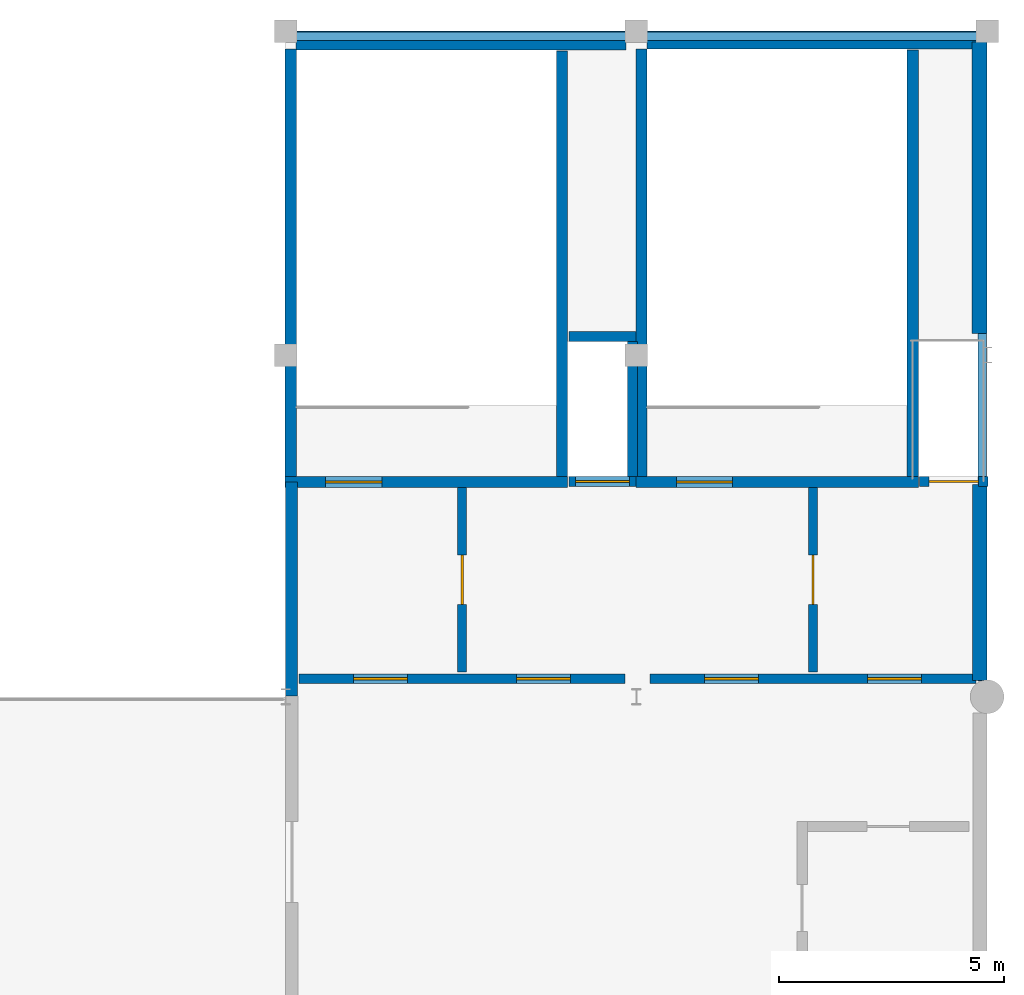
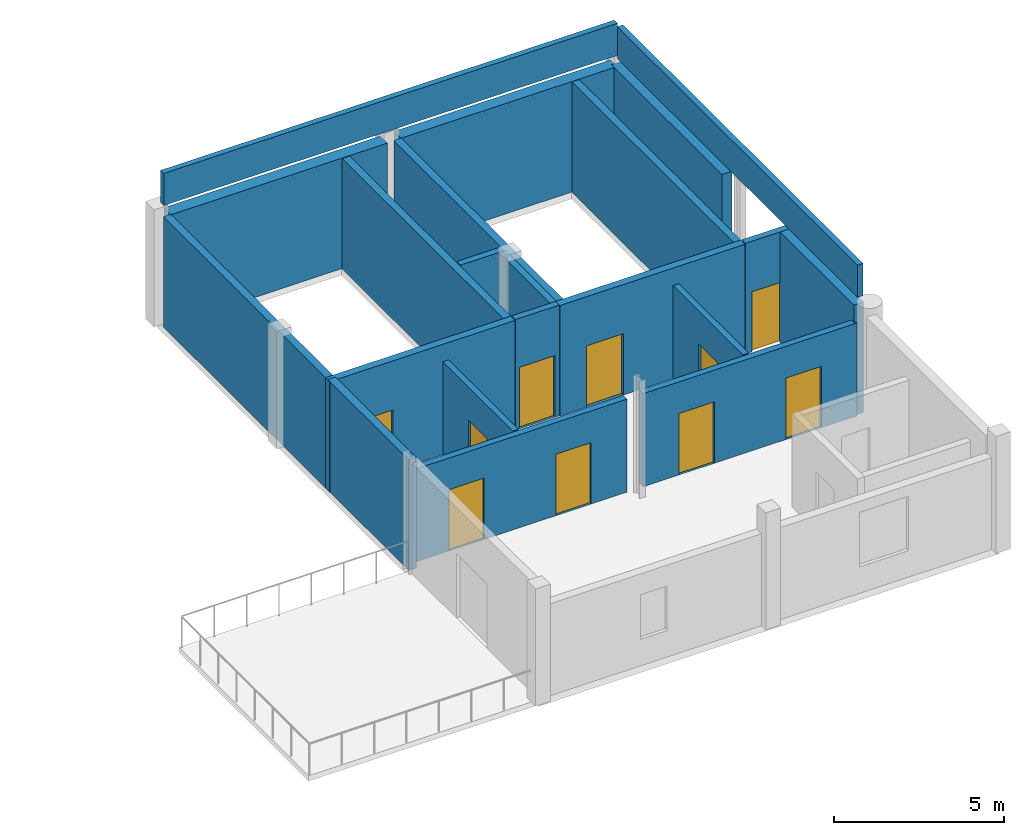
# One storey, part 16 of 17: 21 walls, 10 doors, 10 openings.
"""IFC4 building model written with IfcOpenShell, lengths in metres."""

from ifc_helpers import new_model, si_unit, direction, frame, frame_2d, origin, place, context, subcontext, project, spatial, rectangle, extrude, material, layer, layer_set, type_object, element, fill, save


model = new_model("IFC4")

# Units and contexts
model_context = context("Model", 3, precision=1e-05, world=origin(), true_north=direction((0.0, 1.0)))
body_context = subcontext(model_context, "Body", "Model", "MODEL_VIEW")
ifc_project = project(units=[si_unit("LENGTHUNIT", "METRE"), si_unit("AREAUNIT", "SQUARE_METRE"), si_unit("VOLUMEUNIT", "CUBIC_METRE"), si_unit("PLANEANGLEUNIT", "RADIAN"), si_unit("MASSUNIT", "GRAM", prefix="KILO")], contexts=[model_context])

# Site, building, storey
site_placement = place(None, origin())
site = spatial("IfcSite", under=ifc_project, at=site_placement, CompositionType="ELEMENT")
building_placement = place(site_placement, origin())
building = spatial("IfcBuilding", under=site, at=building_placement, Name="Xicomal Pleat Aquarium", CompositionType="ELEMENT")
storey_placement = place(building_placement, frame((0.0, 0.0, 19.800048828125)))
storey = spatial("IfcBuildingStorey", under=building, at=storey_placement, Name="L05", CompositionType="ELEMENT", Elevation=19.800048828125)

# Wall, opening, door
ifc_material_1 = material(Name="Concrete C40/50", Category="concrete")
ifc_layer_1 = layer(ifc_material_1, 0.219970703125)
ifc_layer_set_1 = layer_set([ifc_layer_1], Name="Concrete C40/50")
wall_type_1 = type_object("IfcWallType", Name="WAL-COR-220", PredefinedType="SHEAR", material=ifc_layer_set_1)
wall_1_placement = place(storey_placement, frame((147.89990234375, 88.389892578125, 0.0), z_axis=(0.0, 0.0, 1.0), x_axis=(1.0, 0.0, 0.0)))
wall_1 = element("IfcWall", 1, at=wall_1_placement, inside=storey, type_object=wall_type_1, Name="L05 LF-05 lift shaft wall CW-L05-C5-LS", PredefinedType="SHEAR", context=body_context, shape_type="SweptSolid", body=[
    extrude(rectangle(XDim=1.489990234375, YDim=0.219970703125, at=frame_2d((0.7451171875, 0.0))), origin(), (0.0, 0.0, 1.0), 3.9599609375),
])
opening_1_placement = place(wall_1_placement, frame((0.14501953125, 0.0, 0.0)))
opening_1 = element("IfcOpeningElement", 2, at=opening_1_placement, cuts=wall_1, Name="Opening LD-05-L05", PredefinedType="OPENING", context=body_context, shape_type="SweptSolid", body=[
    extrude(rectangle(XDim=1.199951171875, YDim=2.199951171875, at=frame_2d((0.60009765625, 1.10009765625))), frame((0.0, 0.119873046875, 0.0), z_axis=(0.0, -1.0, 0.0), x_axis=(1.0, 0.0, 0.0)), (0.0, 0.0, 1.0), 0.239990234375),
])
ifc_material_2 = material(Name="Brushed stainless steel 304", Category="steel")
door_type_1 = type_object("IfcDoorType", Name="DOR-LD-1200x2200", OperationType="DOUBLE_DOOR_SLIDING", PredefinedType="DOOR", material=ifc_material_2)
door_1_placement = place(opening_1_placement, origin())
door_1 = element("IfcDoor", 3, at=door_1_placement, inside=storey, type_object=door_type_1, Name="L05 LF-05 sliding lift landing door", OperationType="DOUBLE_DOOR_SLIDING", OverallHeight=2.199951171875, OverallWidth=1.199951171875, PredefinedType="DOOR", context=body_context, shape_type="SweptSolid", body=[
    extrude(rectangle(XDim=1.199951171875, YDim=2.199951171875, at=frame_2d((0.60009765625, 1.10009765625))), frame((0.0, 0.02490234375, 0.0), z_axis=(0.0, -1.0, 0.0), x_axis=(1.0, 0.0, 0.0)), (0.0, 0.0, 1.0), 0.050048828125),
])
fill(opening_1, door_1)

# Walls
wall_2_placement = place(storey_placement, frame((147.89990234375, 91.610107421875, 0.0), z_axis=(0.0, 0.0, 1.0), x_axis=(1.0, 0.0, 0.0)))
element("IfcWall", 4, at=wall_2_placement, inside=storey, type_object=wall_type_1, Name="L05 LF-05 lift shaft wall CW-L05-C5-LN", PredefinedType="SHEAR", context=body_context, shape_type="SweptSolid", body=[
    extrude(rectangle(XDim=1.489990234375, YDim=0.219970703125, at=frame_2d((0.7451171875, 0.0))), origin(), (0.0, 0.0, 1.0), 3.9599609375),
])
wall_3_placement = place(storey_placement, frame((149.31005859375, 88.5, 0.0), z_axis=(0.0, 0.0, 1.0), x_axis=(0.0, 1.0, 0.0)))
element("IfcWall", 5, at=wall_3_placement, inside=storey, type_object=wall_type_1, Name="L05 LF-05 lift shaft wall CW-L05-C5-LE", PredefinedType="SHEAR", context=body_context, shape_type="SweptSolid", body=[
    extrude(rectangle(XDim=3.0, YDim=0.219970703125, at=frame_2d((1.5, 0.0))), origin(), (0.0, 0.0, 1.0), 3.9599609375),
])

# Wall, opening, door
wall_4_placement = place(storey_placement, frame((155.699951171875, 88.389892578125, 0.0), z_axis=(0.0, 0.0, 1.0), x_axis=(1.0, 0.0, 0.0)))
wall_4 = element("IfcWall", 6, at=wall_4_placement, inside=storey, type_object=wall_type_1, Name="L05 LF-06 lift shaft wall CW-L05-C6-LS", PredefinedType="SHEAR", context=body_context, shape_type="SweptSolid", body=[
    extrude(rectangle(XDim=1.52001953125, YDim=0.219970703125, at=frame_2d((0.760009765625, 0.0))), origin(), (0.0, 0.0, 1.0), 3.9599609375),
])
opening_2_placement = place(wall_4_placement, frame((0.2099609375, 0.0, 0.0)))
opening_2 = element("IfcOpeningElement", 7, at=opening_2_placement, cuts=wall_4, Name="Opening LD-06-L05", PredefinedType="OPENING", context=body_context, shape_type="SweptSolid", body=[
    extrude(rectangle(XDim=1.10009765625, YDim=2.14990234375, at=frame_2d((0.550048828125, 1.074951171875))), frame((0.0, 0.119873046875, 0.0), z_axis=(0.0, -1.0, 0.0), x_axis=(1.0, 0.0, 0.0)), (0.0, 0.0, 1.0), 0.239990234375),
])
ifc_material_3 = material(Name="Brushed stainless steel 304", Category="steel")
door_type_2 = type_object("IfcDoorType", Name="DOR-LD-1100x2150", OperationType="DOUBLE_DOOR_SLIDING", PredefinedType="DOOR", material=ifc_material_3)
door_2_placement = place(opening_2_placement, origin())
door_2 = element("IfcDoor", 8, at=door_2_placement, inside=storey, type_object=door_type_2, Name="L05 LF-06 sliding lift landing door", OperationType="DOUBLE_DOOR_SLIDING", OverallHeight=2.14990234375, OverallWidth=1.10009765625, PredefinedType="DOOR", context=body_context, shape_type="SweptSolid", body=[
    extrude(rectangle(XDim=1.10009765625, YDim=2.14990234375, at=frame_2d((0.550048828125, 1.074951171875))), frame((0.0, 0.02490234375, 0.0), z_axis=(0.0, -1.0, 0.0), x_axis=(1.0, 0.0, 0.0)), (0.0, 0.0, 1.0), 0.050048828125),
])
fill(opening_2, door_2)

ifc_material_4 = material(Name="Concrete C40/50", Category="concrete")
ifc_layer_2 = layer(ifc_material_4, 0.25)
ifc_layer_set_2 = layer_set([ifc_layer_2], Name="Concrete C40/50")
wall_type_2 = type_object("IfcWallType", Name="WAL-COR-250", PredefinedType="SHEAR", material=ifc_layer_set_2)
wall_5_placement = place(storey_placement, frame((141.590087890625, 88.375, 0.0), z_axis=(0.0, 0.0, 1.0), x_axis=(1.0, 0.0, 0.0)))
wall_5 = element("IfcWall", 9, at=wall_5_placement, inside=storey, type_object=wall_type_2, Name="L05 CORE-5 stair shear wall CW-L05-C5-SS", PredefinedType="SHEAR", context=body_context, shape_type="SweptSolid", body=[
    extrude(rectangle(XDim=6.280029296875, YDim=0.25, at=frame_2d((3.14013671875, 0.0))), origin(), (0.0, 0.0, 1.0), 3.9599609375),
])
opening_3_placement = place(wall_5_placement, frame((0.89990234375, 0.0, 0.0)))
opening_3 = element("IfcOpeningElement", 10, at=opening_3_placement, cuts=wall_5, Name="Opening SD-05-L05", PredefinedType="OPENING", context=body_context, shape_type="SweptSolid", body=[
    extrude(rectangle(XDim=1.25, YDim=2.199951171875, at=frame_2d((0.625, 1.10009765625))), frame((0.0, 0.135009765625, 0.0), z_axis=(0.0, -1.0, 0.0), x_axis=(1.0, 0.0, 0.0)), (0.0, 0.0, 1.0), 0.27001953125),
])
ifc_material_5 = material(Name="Powder-coated steel fire door", Category="steel")
door_type_3 = type_object("IfcDoorType", Name="DOR-ST-1250x2200", OperationType="NOTDEFINED", PredefinedType="DOOR", material=ifc_material_5)
door_3_placement = place(opening_3_placement, origin())
door_3 = element("IfcDoor", 11, at=door_3_placement, inside=storey, type_object=door_type_3, Name="L05 ST-05 protected stair door", OperationType="SINGLE_SWING_LEFT", OverallHeight=2.199951171875, OverallWidth=1.25, PredefinedType="DOOR", context=body_context, shape_type="SweptSolid", body=[
    extrude(rectangle(XDim=1.25, YDim=2.199951171875, at=frame_2d((0.625, 1.10009765625))), frame((0.0, 0.02490234375, 0.0), z_axis=(0.0, -1.0, 0.0), x_axis=(1.0, 0.0, 0.0)), (0.0, 0.0, 1.0), 0.050048828125),
])
fill(opening_3, door_3)

# Walls
wall_6_placement = place(storey_placement, frame((141.715087890625, 88.5, 0.0), z_axis=(0.0, 0.0, 1.0), x_axis=(0.0, 1.0, 0.0)))
element("IfcWall", 12, at=wall_6_placement, inside=storey, type_object=wall_type_2, Name="L05 CORE-5 stair shear wall CW-L05-C5-SW", PredefinedType="SHEAR", context=body_context, shape_type="SweptSolid", body=[
    extrude(rectangle(XDim=9.5, YDim=0.25, at=frame_2d((4.75, 0.0))), origin(), (0.0, 0.0, 1.0), 3.9599609375),
])
wall_7_placement = place(storey_placement, frame((147.7451171875, 88.5, 0.0), z_axis=(0.0, 0.0, 1.0), x_axis=(0.0, 1.0, 0.0)))
element("IfcWall", 13, at=wall_7_placement, inside=storey, type_object=wall_type_2, Name="L05 CORE-5 stair shear wall CW-L05-C5-SE", PredefinedType="SHEAR", context=body_context, shape_type="SweptSolid", body=[
    extrude(rectangle(XDim=9.4599609375, YDim=0.25, at=frame_2d((4.72998046875, 0.0))), origin(), (0.0, 0.0, 1.0), 3.9599609375),
])

# Wall, opening, door
wall_8_placement = place(storey_placement, frame((149.389892578125, 88.375, 0.0), z_axis=(0.0, 0.0, 1.0), x_axis=(1.0, 0.0, 0.0)))
wall_8 = element("IfcWall", 14, at=wall_8_placement, inside=storey, type_object=wall_type_2, Name="L05 CORE-6 stair shear wall CW-L05-C6-SS", PredefinedType="SHEAR", context=body_context, shape_type="SweptSolid", body=[
    extrude(rectangle(XDim=6.280029296875, YDim=0.25, at=frame_2d((3.14013671875, 0.0))), origin(), (0.0, 0.0, 1.0), 3.9599609375),
])
opening_4_placement = place(wall_8_placement, frame((0.89990234375, 0.0, 0.0)))
opening_4 = element("IfcOpeningElement", 15, at=opening_4_placement, cuts=wall_8, Name="Opening SD-06-L05", PredefinedType="OPENING", context=body_context, shape_type="SweptSolid", body=[
    extrude(rectangle(XDim=1.25, YDim=2.199951171875, at=frame_2d((0.625, 1.10009765625))), frame((0.0, 0.135009765625, 0.0), z_axis=(0.0, -1.0, 0.0), x_axis=(1.0, 0.0, 0.0)), (0.0, 0.0, 1.0), 0.27001953125),
])
door_4_placement = place(opening_4_placement, origin())
door_4 = element("IfcDoor", 16, at=door_4_placement, inside=storey, type_object=door_type_3, Name="L05 ST-06 protected stair door", OperationType="SINGLE_SWING_LEFT", OverallHeight=2.199951171875, OverallWidth=1.25, PredefinedType="DOOR", context=body_context, shape_type="SweptSolid", body=[
    extrude(rectangle(XDim=1.25, YDim=2.199951171875, at=frame_2d((0.625, 1.10009765625))), frame((0.0, 0.02490234375, 0.0), z_axis=(0.0, -1.0, 0.0), x_axis=(1.0, 0.0, 0.0)), (0.0, 0.0, 1.0), 0.050048828125),
])
fill(opening_4, door_4)

# Walls
wall_9_placement = place(storey_placement, frame((149.514892578125, 88.5, 0.0), z_axis=(0.0, 0.0, 1.0), x_axis=(0.0, 1.0, 0.0)))
element("IfcWall", 17, at=wall_9_placement, inside=storey, type_object=wall_type_2, Name="L05 CORE-6 stair shear wall CW-L05-C6-SW", PredefinedType="SHEAR", context=body_context, shape_type="SweptSolid", body=[
    extrude(rectangle(XDim=9.5, YDim=0.25, at=frame_2d((4.75, 0.0))), origin(), (0.0, 0.0, 1.0), 3.9599609375),
])
wall_10_placement = place(storey_placement, frame((155.544921875, 88.5, 0.0), z_axis=(0.0, 0.0, 1.0), x_axis=(0.0, 1.0, 0.0)))
element("IfcWall", 18, at=wall_10_placement, inside=storey, type_object=wall_type_2, Name="L05 CORE-6 stair shear wall CW-L05-C6-SE", PredefinedType="SHEAR", context=body_context, shape_type="SweptSolid", body=[
    extrude(rectangle(XDim=9.47998046875, YDim=0.25, at=frame_2d((4.739990234375, 0.0))), origin(), (0.0, 0.0, 1.0), 3.9599609375),
])
ifc_material_6 = material(Name="Volcanic basalt recinto masonry and concrete C40/50", Category="masonry")
ifc_layer_3 = layer(ifc_material_6, 0.39990234375)
ifc_layer_set_3 = layer_set([ifc_layer_3], Name="Volcanic basalt recinto masonry and concrete C40/50")
wall_type_3 = type_object("IfcWallType", Name="WAL-EXT-BAS-400", PredefinedType="SOLIDWALL", material=ifc_layer_set_3)
wall_11_placement = place(storey_placement, frame((149.635009765625, 98.199951171875, 0.0), z_axis=(0.0, 0.0, 1.0), x_axis=(1.0, 0.0, 0.0)))
element("IfcWall", 19, at=wall_11_placement, inside=storey, type_object=wall_type_3, Name="L05 exterior basalt-precast wall EW-L05-010", PredefinedType="SOLIDWALL", context=body_context, shape_type="SweptSolid", body=[
    extrude(rectangle(XDim=7.330078125, YDim=0.39990234375, at=frame_2d((3.6650390625, 0.0))), origin(), (0.0, 0.0, 1.0), 3.9599609375),
])
ifc_material_7 = material(Name="Volcanic basalt recinto masonry and concrete C40/50", Category="masonry")
ifc_layer_4 = layer(ifc_material_7, 0.419921875)
ifc_layer_set_4 = layer_set([ifc_layer_4], Name="Volcanic basalt recinto masonry and concrete C40/50")
wall_type_4 = type_object("IfcWallType", Name="WAL-EXT-BAS-420", PredefinedType="SOLIDWALL", material=ifc_layer_set_4)
wall_12_placement = place(storey_placement, frame((141.8349609375, 98.18994140625, 0.0), z_axis=(0.0, 0.0, 1.0), x_axis=(1.0, 0.0, 0.0)))
element("IfcWall", 20, at=wall_12_placement, inside=storey, type_object=wall_type_4, Name="L05 exterior basalt-precast wall EW-L05-009", PredefinedType="SOLIDWALL", context=body_context, shape_type="SweptSolid", body=[
    extrude(rectangle(XDim=7.330078125, YDim=0.419921875, at=frame_2d((3.6650390625, 0.0))), origin(), (0.0, 0.0, 1.0), 3.9599609375),
])
ifc_material_8 = material(Name="Precast concrete C40/50", Category="concrete")
ifc_layer_5 = layer(ifc_material_8, 0.260009765625)
ifc_layer_set_5 = layer_set([ifc_layer_5], Name="Precast concrete C40/50")
wall_type_5 = type_object("IfcWallType", Name="WAL-EXT-PRC-260", PredefinedType="SOLIDWALL", material=ifc_layer_set_5)
wall_13_placement = place(storey_placement, frame((141.72998046875, 83.6201171875, 0.0), z_axis=(0.0, 0.0, 1.0), x_axis=(0.0, 1.0, 0.0)))
element("IfcWall", 21, at=wall_13_placement, inside=storey, type_object=wall_type_5, Name="L05 exterior basalt-precast wall EW-L05-007", PredefinedType="SOLIDWALL", context=body_context, shape_type="SweptSolid", body=[
    extrude(rectangle(XDim=4.759765625, YDim=0.260009765625, at=frame_2d((2.3798828125, 0.0))), origin(), (0.0, 0.0, 1.0), 3.9599609375),
])
ifc_material_9 = material(Name="Precast concrete C40/50", Category="concrete")
ifc_layer_6 = layer(ifc_material_9, 0.324951171875)
ifc_layer_set_6 = layer_set([ifc_layer_6], Name="Precast concrete C40/50")
wall_type_6 = type_object("IfcWallType", Name="WAL-EXT-PRC-325", PredefinedType="SOLIDWALL", material=ifc_layer_set_6)
wall_14_placement = place(storey_placement, frame((157.037109375, 88.320068359375, 0.0), z_axis=(0.0, 0.0, 1.0), x_axis=(0.0, -1.0, 0.0)))
element("IfcWall", 22, at=wall_14_placement, inside=storey, type_object=wall_type_6, Name="L05 exterior basalt-precast wall EW-L05-002", PredefinedType="SOLIDWALL", context=body_context, shape_type="SweptSolid", body=[
    extrude(rectangle(XDim=4.360107421875, YDim=0.324951171875, at=frame_2d((2.18017578125, 0.0))), origin(), (0.0, 0.0, 1.0), 3.9599609375),
])
ifc_material_10 = material(Name="Precast concrete C40/50", Category="concrete")
ifc_layer_7 = layer(ifc_material_10, 0.340087890625)
ifc_layer_set_7 = layer_set([ifc_layer_7], Name="Precast concrete C40/50")
wall_type_7 = type_object("IfcWallType", Name="WAL-EXT-PRC-340", PredefinedType="SOLIDWALL", material=ifc_layer_set_7)
wall_15_placement = place(storey_placement, frame((157.030029296875, 98.1650390625, 0.0), z_axis=(0.0, 0.0, 1.0), x_axis=(0.0, -1.0, 0.0)))
element("IfcWall", 23, at=wall_15_placement, inside=storey, type_object=wall_type_7, Name="L05 exterior basalt-precast wall EW-L05-001", PredefinedType="SOLIDWALL", context=body_context, shape_type="SweptSolid", body=[
    extrude(rectangle(XDim=6.485107421875, YDim=0.340087890625, at=frame_2d((3.24267578125, 0.0))), origin(), (0.0, 0.0, 1.0), 3.9599609375),
])
ifc_material_11 = material(Name="Precast concrete C40/50", Category="concrete")
ifc_layer_8 = layer(ifc_material_11, 0.18994140625)
ifc_layer_set_8 = layer_set([ifc_layer_8], Name="Precast concrete C40/50")
wall_type_8 = type_object("IfcWallType", Name="WAL-PAR-190", PredefinedType="PARAPET", material=ifc_layer_set_8)
wall_16_placement = place(storey_placement, frame((141.7099609375, 98.2900390625, 4.199951171875), z_axis=(0.0, 0.0, 1.0), x_axis=(1.0, 0.0, 0.0)))
element("IfcWall", 24, at=wall_16_placement, inside=storey, type_object=wall_type_8, Name="L05 roof perimeter parapet PW-RF-E-N", PredefinedType="PARAPET", context=body_context, shape_type="SweptSolid", body=[
    extrude(rectangle(XDim=15.380126953125, YDim=0.18994140625, at=frame_2d((7.68994140625, 0.0))), origin(), (0.0, 0.0, 1.0), 1.14990234375),
])
wall_17_placement = place(storey_placement, frame((157.090087890625, 83.949951171875, 4.199951171875), z_axis=(0.0, 0.0, 1.0), x_axis=(0.0, 1.0, 0.0)))
element("IfcWall", 25, at=wall_17_placement, inside=storey, type_object=wall_type_8, Name="L05 roof perimeter parapet PW-RF-E-E", PredefinedType="PARAPET", context=body_context, shape_type="SweptSolid", body=[
    extrude(rectangle(XDim=14.10009765625, YDim=0.18994140625, at=frame_2d((7.050048828125, 0.0))), origin(), (0.0, 0.0, 1.0), 1.14990234375),
])

# Wall, opening, door
ifc_material_12 = material(Name="Acoustic double-stud drywall partition", Category="gypsum")
ifc_layer_9 = layer(ifc_material_12, 0.195068359375)
ifc_layer_set_9 = layer_set([ifc_layer_9], Name="Acoustic double-stud drywall partition")
wall_type_9 = type_object("IfcWallType", Name="WAL-PRT-195", PredefinedType="PARTITIONING", material=ifc_layer_set_9)
wall_18_placement = place(storey_placement, frame((145.52490234375, 84.14990234375, 0.0), z_axis=(0.0, 0.0, 1.0), x_axis=(0.0, 1.0, 0.0)))
wall_18 = element("IfcWall", 26, at=wall_18_placement, inside=storey, type_object=wall_type_9, Name="L05 firefighting lobby smoke divider 5", PredefinedType="PARTITIONING", context=body_context, shape_type="SweptSolid", body=[
    extrude(rectangle(XDim=4.10009765625, YDim=0.195068359375, at=frame_2d((2.050048828125, 0.0))), origin(), (0.0, 0.0, 1.0), 3.3349609375),
])
opening_5_placement = place(wall_18_placement, frame((1.5, 0.0, 0.0)))
opening_5 = element("IfcOpeningElement", 27, at=opening_5_placement, cuts=wall_18, Name="Opening FD-05C-L05", PredefinedType="OPENING", context=body_context, shape_type="SweptSolid", body=[
    extrude(rectangle(XDim=1.10009765625, YDim=2.14990234375, at=frame_2d((0.550048828125, 1.074951171875))), frame((0.0, 0.107421875, 0.0), z_axis=(0.0, -1.0, 0.0), x_axis=(1.0, 0.0, 0.0)), (0.0, 0.0, 1.0), 0.215087890625),
])
ifc_material_13 = material(Name="Powder-coated steel fire door", Category="steel")
door_type_4 = type_object("IfcDoorType", Name="DOR-LAB-1100x2150", OperationType="NOTDEFINED", PredefinedType="DOOR", material=ifc_material_13)
door_5_placement = place(opening_5_placement, origin())
door_5 = element("IfcDoor", 28, at=door_5_placement, inside=storey, type_object=door_type_4, Name="L05 lobby interconnecting fire door 5C", OperationType="SINGLE_SWING_RIGHT", OverallHeight=2.14990234375, OverallWidth=1.10009765625, PredefinedType="DOOR", context=body_context, shape_type="SweptSolid", body=[
    extrude(rectangle(XDim=1.10009765625, YDim=2.14990234375, at=frame_2d((0.550048828125, 1.074951171875))), frame((0.0, 0.02490234375, 0.0), z_axis=(0.0, -1.0, 0.0), x_axis=(1.0, 0.0, 0.0)), (0.0, 0.0, 1.0), 0.050048828125),
])
fill(opening_5, door_5)

wall_19_placement = place(storey_placement, frame((153.324951171875, 84.14990234375, 0.0), z_axis=(0.0, 0.0, 1.0), x_axis=(0.0, 1.0, 0.0)))
wall_19 = element("IfcWall", 29, at=wall_19_placement, inside=storey, type_object=wall_type_9, Name="L05 firefighting lobby smoke divider 6", PredefinedType="PARTITIONING", context=body_context, shape_type="SweptSolid", body=[
    extrude(rectangle(XDim=4.10009765625, YDim=0.195068359375, at=frame_2d((2.050048828125, 0.0))), origin(), (0.0, 0.0, 1.0), 3.3349609375),
])
opening_6_placement = place(wall_19_placement, frame((1.5, 0.0, 0.0)))
opening_6 = element("IfcOpeningElement", 30, at=opening_6_placement, cuts=wall_19, Name="Opening FD-06C-L05", PredefinedType="OPENING", context=body_context, shape_type="SweptSolid", body=[
    extrude(rectangle(XDim=1.10009765625, YDim=2.14990234375, at=frame_2d((0.550048828125, 1.074951171875))), frame((0.0, 0.107421875, 0.0), z_axis=(0.0, -1.0, 0.0), x_axis=(1.0, 0.0, 0.0)), (0.0, 0.0, 1.0), 0.215087890625),
])
door_6_placement = place(opening_6_placement, origin())
door_6 = element("IfcDoor", 31, at=door_6_placement, inside=storey, type_object=door_type_4, Name="L05 lobby interconnecting fire door 6C", OperationType="SINGLE_SWING_RIGHT", OverallHeight=2.14990234375, OverallWidth=1.10009765625, PredefinedType="DOOR", context=body_context, shape_type="SweptSolid", body=[
    extrude(rectangle(XDim=1.10009765625, YDim=2.14990234375, at=frame_2d((0.550048828125, 1.074951171875))), frame((0.0, 0.02490234375, 0.0), z_axis=(0.0, -1.0, 0.0), x_axis=(1.0, 0.0, 0.0)), (0.0, 0.0, 1.0), 0.050048828125),
])
fill(opening_6, door_6)

# Wall, openings, doors
ifc_material_14 = material(Name="Fire-rated gypsum and mineral-wool partition", Category="gypsum")
ifc_layer_10 = layer(ifc_material_14, 0.2099609375)
ifc_layer_set_10 = layer_set([ifc_layer_10], Name="Fire-rated gypsum and mineral-wool partition")
wall_type_10 = type_object("IfcWallType", Name="WAL-PRT-210", PredefinedType="PARTITIONING", material=ifc_layer_set_10)
wall_20_placement = place(storey_placement, frame((141.89990234375, 84.0, 0.0), z_axis=(0.0, 0.0, 1.0), x_axis=(1.0, 0.0, 0.0)))
wall_20 = element("IfcWall", 32, at=wall_20_placement, inside=storey, type_object=wall_type_10, Name="L05 CORE-5 lobby fire enclosure wall", PredefinedType="PARTITIONING", context=body_context, shape_type="SweptSolid", body=[
    extrude(rectangle(XDim=7.25, YDim=0.2099609375, at=frame_2d((3.625, 0.0))), origin(), (0.0, 0.0, 1.0), 3.3349609375),
])
opening_7_placement = place(wall_20_placement, frame((1.2119140625, 0.0, 0.0)))
opening_7 = element("IfcOpeningElement", 33, at=opening_7_placement, cuts=wall_20, Name="Opening FD-05A-L05", PredefinedType="OPENING", context=body_context, shape_type="SweptSolid", body=[
    extrude(rectangle(XDim=1.199951171875, YDim=2.199951171875, at=frame_2d((0.60009765625, 1.10009765625))), frame((0.0, 0.114990234375, 0.0), z_axis=(0.0, -1.0, 0.0), x_axis=(1.0, 0.0, 0.0)), (0.0, 0.0, 1.0), 0.22998046875),
])
opening_8_placement = place(wall_20_placement, frame((4.837890625, 0.0, 0.0)))
opening_8 = element("IfcOpeningElement", 34, at=opening_8_placement, cuts=wall_20, Name="Opening FD-05B-L05", PredefinedType="OPENING", context=body_context, shape_type="SweptSolid", body=[
    extrude(rectangle(XDim=1.199951171875, YDim=2.199951171875, at=frame_2d((0.60009765625, 1.10009765625))), frame((0.0, 0.114990234375, 0.0), z_axis=(0.0, -1.0, 0.0), x_axis=(1.0, 0.0, 0.0)), (0.0, 0.0, 1.0), 0.22998046875),
])
ifc_material_15 = material(Name="Powder-coated steel fire door", Category="steel")
door_type_5 = type_object("IfcDoorType", Name="DOR-FFL-1200x2200", OperationType="NOTDEFINED", PredefinedType="DOOR", material=ifc_material_15)
door_7_placement = place(opening_7_placement, origin())
door_7 = element("IfcDoor", 35, at=door_7_placement, inside=storey, type_object=door_type_5, Name="L05 firefighting lobby door 5A", OperationType="SINGLE_SWING_RIGHT", OverallHeight=2.199951171875, OverallWidth=1.199951171875, PredefinedType="DOOR", context=body_context, shape_type="SweptSolid", body=[
    extrude(rectangle(XDim=1.199951171875, YDim=2.199951171875, at=frame_2d((0.60009765625, 1.10009765625))), frame((0.0, 0.02490234375, 0.0), z_axis=(0.0, -1.0, 0.0), x_axis=(1.0, 0.0, 0.0)), (0.0, 0.0, 1.0), 0.050048828125),
])
fill(opening_7, door_7)
door_8_placement = place(opening_8_placement, origin())
door_8 = element("IfcDoor", 36, at=door_8_placement, inside=storey, type_object=door_type_5, Name="L05 lift lobby door 5B", OperationType="SINGLE_SWING_LEFT", OverallHeight=2.199951171875, OverallWidth=1.199951171875, PredefinedType="DOOR", context=body_context, shape_type="SweptSolid", body=[
    extrude(rectangle(XDim=1.199951171875, YDim=2.199951171875, at=frame_2d((0.60009765625, 1.10009765625))), frame((0.0, 0.02490234375, 0.0), z_axis=(0.0, -1.0, 0.0), x_axis=(1.0, 0.0, 0.0)), (0.0, 0.0, 1.0), 0.050048828125),
])
fill(opening_8, door_8)

wall_21_placement = place(storey_placement, frame((149.699951171875, 84.0, 0.0), z_axis=(0.0, 0.0, 1.0), x_axis=(1.0, 0.0, 0.0)))
wall_21 = element("IfcWall", 37, at=wall_21_placement, inside=storey, type_object=wall_type_10, Name="L05 CORE-6 lobby fire enclosure wall", PredefinedType="PARTITIONING", context=body_context, shape_type="SweptSolid", body=[
    extrude(rectangle(XDim=7.25, YDim=0.2099609375, at=frame_2d((3.625, 0.0))), origin(), (0.0, 0.0, 1.0), 3.3349609375),
])
opening_9_placement = place(wall_21_placement, frame((1.2119140625, 0.0, 0.0)))
opening_9 = element("IfcOpeningElement", 38, at=opening_9_placement, cuts=wall_21, Name="Opening FD-06A-L05", PredefinedType="OPENING", context=body_context, shape_type="SweptSolid", body=[
    extrude(rectangle(XDim=1.199951171875, YDim=2.199951171875, at=frame_2d((0.60009765625, 1.10009765625))), frame((0.0, 0.114990234375, 0.0), z_axis=(0.0, -1.0, 0.0), x_axis=(1.0, 0.0, 0.0)), (0.0, 0.0, 1.0), 0.22998046875),
])
opening_10_placement = place(wall_21_placement, frame((4.837890625, 0.0, 0.0)))
opening_10 = element("IfcOpeningElement", 39, at=opening_10_placement, cuts=wall_21, Name="Opening FD-06B-L05", PredefinedType="OPENING", context=body_context, shape_type="SweptSolid", body=[
    extrude(rectangle(XDim=1.199951171875, YDim=2.199951171875, at=frame_2d((0.60009765625, 1.10009765625))), frame((0.0, 0.114990234375, 0.0), z_axis=(0.0, -1.0, 0.0), x_axis=(1.0, 0.0, 0.0)), (0.0, 0.0, 1.0), 0.22998046875),
])
door_9_placement = place(opening_9_placement, origin())
door_9 = element("IfcDoor", 40, at=door_9_placement, inside=storey, type_object=door_type_5, Name="L05 firefighting lobby door 6A", OperationType="SINGLE_SWING_RIGHT", OverallHeight=2.199951171875, OverallWidth=1.199951171875, PredefinedType="DOOR", context=body_context, shape_type="SweptSolid", body=[
    extrude(rectangle(XDim=1.199951171875, YDim=2.199951171875, at=frame_2d((0.60009765625, 1.10009765625))), frame((0.0, 0.02490234375, 0.0), z_axis=(0.0, -1.0, 0.0), x_axis=(1.0, 0.0, 0.0)), (0.0, 0.0, 1.0), 0.050048828125),
])
fill(opening_9, door_9)
door_10_placement = place(opening_10_placement, origin())
door_10 = element("IfcDoor", 41, at=door_10_placement, inside=storey, type_object=door_type_5, Name="L05 lift lobby door 6B", OperationType="SINGLE_SWING_LEFT", OverallHeight=2.199951171875, OverallWidth=1.199951171875, PredefinedType="DOOR", context=body_context, shape_type="SweptSolid", body=[
    extrude(rectangle(XDim=1.199951171875, YDim=2.199951171875, at=frame_2d((0.60009765625, 1.10009765625))), frame((0.0, 0.02490234375, 0.0), z_axis=(0.0, -1.0, 0.0), x_axis=(1.0, 0.0, 0.0)), (0.0, 0.0, 1.0), 0.050048828125),
])
fill(opening_10, door_10)

save(model, "model.ifc")
